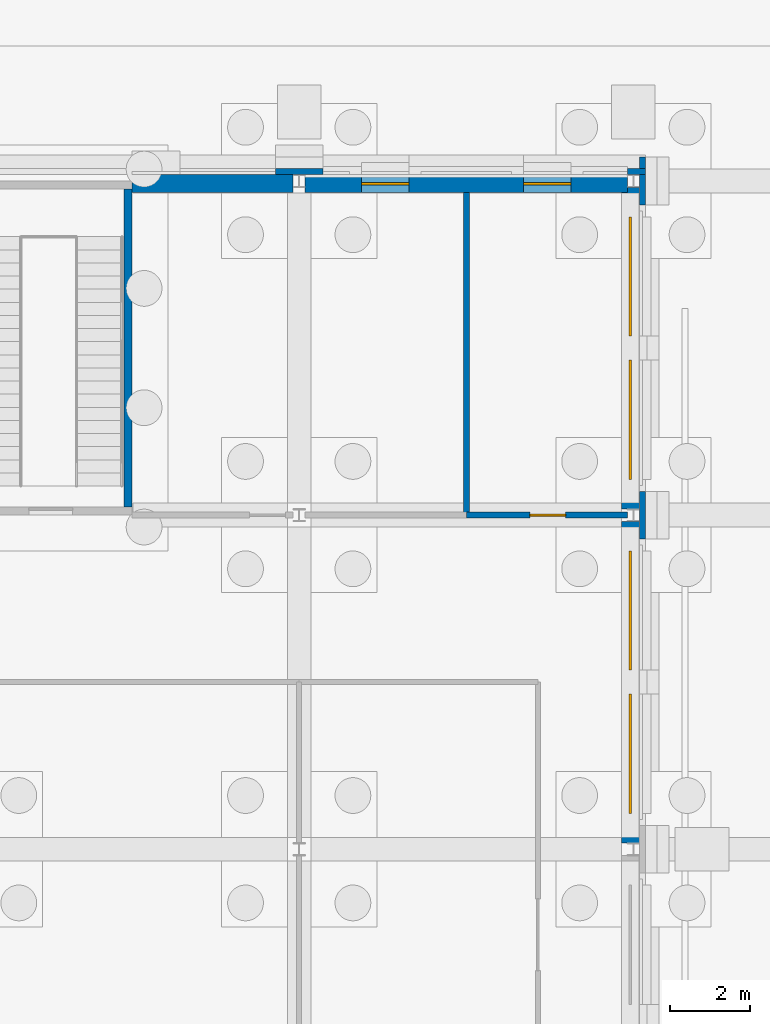
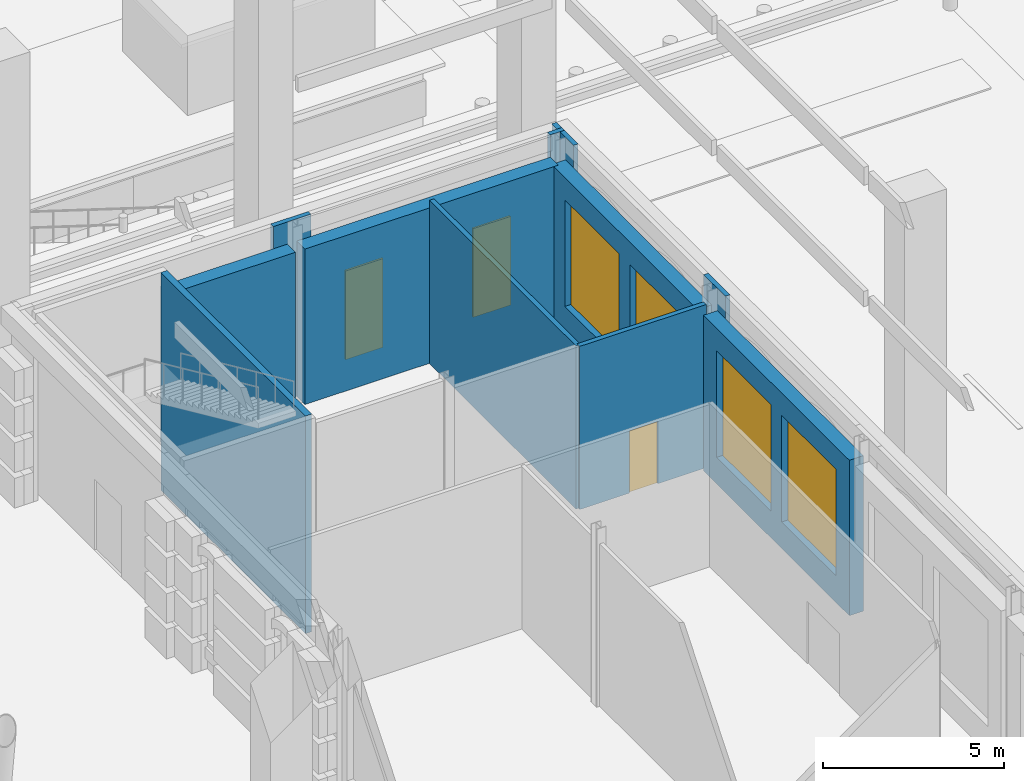
# One storey, part 98 of 222: 11 walls, 6 windows, 1 door, 7 openings.
"""IFC4 building model written with IfcOpenShell, lengths in metres."""

from ifc_helpers import new_model, si_unit, direction, frame, frame_2d, origin, place, context, subcontext, project, spatial, rectangle, extrude, material, layer, layer_set, type_object, element, fill, save


model = new_model("IFC4")

# Units and contexts
model_context = context("Model", 3, precision=1e-05, world=origin(), true_north=direction((0.0, 1.0)))
body_context = subcontext(model_context, "Body", "Model", "MODEL_VIEW")
ifc_project = project(units=[si_unit("LENGTHUNIT", "METRE"), si_unit("AREAUNIT", "SQUARE_METRE"), si_unit("VOLUMEUNIT", "CUBIC_METRE"), si_unit("PLANEANGLEUNIT", "RADIAN"), si_unit("MASSUNIT", "GRAM", prefix="KILO")], contexts=[model_context])

# Site, building, storey
site_placement = place(None, origin())
site = spatial("IfcSite", under=ifc_project, at=site_placement, CompositionType="ELEMENT")
building_placement = place(site_placement, origin())
building = spatial("IfcBuilding", under=site, at=building_placement, Name="Sava Quay Ferry Terminal", CompositionType="ELEMENT")
storey_placement = place(building_placement, origin())
storey = spatial("IfcBuildingStorey", under=building, at=storey_placement, Name="L00", CompositionType="ELEMENT", Elevation=0.0)

# Walls
ifc_material_1 = material(Name="Limestone Mutalj", Category="masonry")
ifc_layer_1 = layer(ifc_material_1, 0.14990234375)
ifc_layer_set_1 = layer_set([ifc_layer_1], Name="Limestone Mutalj")
wall_type_1 = type_object("IfcWallType", Name="Pier cladding 150", PredefinedType="SOLIDWALL", material=ifc_layer_set_1)
wall_1_placement = place(storey_placement, frame((100.199951171875, 109.43505859375, 0.0), z_axis=(0.0, 0.0, 1.0), x_axis=(1.0, 0.0, 0.0)))
element("IfcWall", 1, at=wall_1_placement, inside=storey, type_object=wall_type_1, Name="Pier O-N grid 100.8", PredefinedType="SOLIDWALL", context=body_context, shape_type="SweptSolid", body=[
    extrude(rectangle(XDim=1.199951171875, YDim=0.14990234375, at=frame_2d((0.60009765625, 0.0))), origin(), (0.0, 0.0, 1.0), 6.0),
])
wall_2_placement = place(storey_placement, frame((109.050048828125, 109.43505859375, 0.0), z_axis=(0.0, 0.0, 1.0), x_axis=(1.0, 0.0, 0.0)))
element("IfcWall", 2, at=wall_2_placement, inside=storey, type_object=wall_type_1, Name="Pier O-N grid 109.2", PredefinedType="SOLIDWALL", context=body_context, shape_type="SweptSolid", body=[
    extrude(rectangle(XDim=0.449951171875, YDim=0.14990234375, at=frame_2d((0.22509765625, 0.0))), origin(), (0.0, 0.0, 1.0), 6.0),
])
for number, where, z_axis, x_axis, name in (
    (3, (109.425048828125, 100.199951171875, 0.0), (0.0, 0.0, 1.0), (0.0, 1.0, 0.0), "Pier O-E grid 100.8"),
    (4, (109.425048828125, 108.60009765625, 0.0), (0.0, 0.0, 1.0), (0.0, 1.0, 0.0), "Pier O-E grid 109.2"),
):
    element("IfcWall", number, at=place(storey_placement, frame(where, z_axis=z_axis, x_axis=x_axis)), inside=storey, type_object=wall_type_1, Name=name, PredefinedType="SOLIDWALL", context=body_context, shape_type="SweptSolid", body=[
        extrude(rectangle(XDim=1.199951171875, YDim=0.14990234375, at=frame_2d((0.60009765625, 0.0))), origin(), (0.0, 0.0, 1.0), 6.0),
    ])

# Wall, opening, door
ifc_material_2 = material(Name="Masonry blockwork", Category="masonry")
ifc_layer_2 = layer(ifc_material_2, 0.14990234375)
ifc_layer_set_2 = layer_set([ifc_layer_2], Name="Masonry blockwork")
wall_type_2 = type_object("IfcWallType", Name="Plant, store and lobby wall, blockwork 150", PredefinedType="PARTITIONING", material=ifc_layer_set_2)
wall_3_placement = place(storey_placement, frame((105.0, 100.800048828125, 0.0), z_axis=(0.0, 0.0, 1.0), x_axis=(1.0, 0.0, 0.0)))
wall_3 = element("IfcWall", 5, at=wall_3_placement, inside=storey, type_object=wall_type_2, Name="Plant, store and lobby wall, blockwork 150", PredefinedType="PARTITIONING", context=body_context, shape_type="SweptSolid", body=[
    extrude(rectangle(XDim=4.050048828125, YDim=0.14990234375, at=frame_2d((2.02490234375, 0.0))), origin(), (0.0, 0.0, 1.0), 5.510009765625),
])
opening_1_placement = place(wall_3_placement, frame((1.60009765625, 0.0, 0.0)))
opening_1 = element("IfcOpeningElement", 6, at=opening_1_placement, cuts=wall_3, Name="Opening D0030", PredefinedType="OPENING", context=body_context, shape_type="SweptSolid", body=[
    extrude(rectangle(XDim=0.89990234375, YDim=2.10009765625, at=frame_2d((0.449951171875, 1.050048828125))), frame((0.0, 0.074951171875, 0.0), z_axis=(0.0, -1.0, 0.0), x_axis=(1.0, 0.0, 0.0)), (0.0, 0.0, 1.0), 0.14990234375),
])
ifc_material_3 = material(Name="Timber door set", Category="wood")
door_type = type_object("IfcDoorType", Name="Single door 900 x 2100", OperationType="NOTDEFINED", PredefinedType="DOOR", material=ifc_material_3)
door_placement = place(opening_1_placement, origin())
door = element("IfcDoor", 7, at=door_placement, inside=storey, type_object=door_type, Name="Door D0030", OperationType="SINGLE_SWING_LEFT", OverallHeight=2.10009765625, OverallWidth=0.89990234375, PredefinedType="DOOR", context=body_context, shape_type="SweptSolid", body=[
    extrude(rectangle(XDim=0.89990234375, YDim=2.10009765625, at=frame_2d((0.449951171875, 1.050048828125))), frame((0.0, 0.02490234375, 0.0), z_axis=(0.0, -1.0, 0.0), x_axis=(1.0, 0.0, 0.0)), (0.0, 0.0, 1.0), 0.050048828125),
])
fill(opening_1, door)

# Walls
wall_4_placement = place(storey_placement, frame((105.0, 100.800048828125, 0.0), z_axis=(0.0, 0.0, 1.0), x_axis=(0.0, 1.0, 0.0)))
element("IfcWall", 8, at=wall_4_placement, inside=storey, type_object=wall_type_2, Name="Plant, store and lobby wall, blockwork 150", PredefinedType="PARTITIONING", context=body_context, shape_type="SweptSolid", body=[
    extrude(rectangle(XDim=8.109375, YDim=0.14990234375, at=frame_2d((4.0546875, 0.0))), origin(), (0.0, 0.0, 1.0), 5.510009765625),
])
ifc_material_4 = material(Name="Concrete C35/45", Category="concrete")
ifc_layer_3 = layer(ifc_material_4, 0.199951171875)
ifc_layer_set_3 = layer_set([ifc_layer_3], Name="Concrete C35/45")
wall_type_3 = type_object("IfcWallType", Name="RC core wall 200", PredefinedType="SHEAR", material=ifc_layer_set_3)
wall_5_placement = place(storey_placement, frame((96.5, 101.0, -1.35009765625), z_axis=(0.0, 0.0, 1.0), x_axis=(0.0, 1.0, 0.0)))
element("IfcWall", 9, at=wall_5_placement, inside=storey, type_object=wall_type_3, Name="Core wall ST-O3 E L00", PredefinedType="SHEAR", context=body_context, shape_type="SweptSolid", body=[
    extrude(rectangle(XDim=8.0, YDim=0.199951171875, at=frame_2d((4.0, 0.0))), origin(), (0.0, 0.0, 1.0), 7.35009765625),
])
ifc_material_5 = material(Name="Limestone Mutalj", Category="masonry")
ifc_layer_4 = layer(ifc_material_5, 0.449951171875)
ifc_layer_set_4 = layer_set([ifc_layer_4], Name="Limestone Mutalj")
wall_type_4 = type_object("IfcWallType", Name="Rusticated limestone infill 450", PredefinedType="SOLIDWALL", material=ifc_layer_set_4)
wall_6_placement = place(storey_placement, frame((96.60009765625, 109.135009765625, 0.0), z_axis=(0.0, 0.0, 1.0), x_axis=(1.0, 0.0, 0.0)))
element("IfcWall", 10, at=wall_6_placement, inside=storey, type_object=wall_type_4, Name="External wall O-N", PredefinedType="SOLIDWALL", context=body_context, shape_type="SweptSolid", body=[
    extrude(rectangle(XDim=4.0498046875, YDim=0.449951171875, at=frame_2d((2.02490234375, 0.0))), origin(), (0.0, 0.0, 1.0), 5.25),
])

# Wall, openings, windows
wall_7_placement = place(storey_placement, frame((100.949951171875, 109.135009765625, 0.0), z_axis=(0.0, 0.0, 1.0), x_axis=(1.0, 0.0, 0.0)))
wall_7 = element("IfcWall", 11, at=wall_7_placement, inside=storey, type_object=wall_type_4, Name="External wall O-N", PredefinedType="SOLIDWALL", context=body_context, shape_type="SweptSolid", body=[
    extrude(rectangle(XDim=8.10009765625, YDim=0.449951171875, at=frame_2d((4.050048828125, 0.0))), origin(), (0.0, 0.0, 1.0), 5.25),
])
opening_2_placement = place(wall_7_placement, frame((1.41259765625, 0.0, 0.89990234375)))
opening_2 = element("IfcOpeningElement", 12, at=opening_2_placement, cuts=wall_7, Name="Opening W-E1", PredefinedType="OPENING", context=body_context, shape_type="SweptSolid", body=[
    extrude(rectangle(XDim=1.199951171875, YDim=3.0, at=frame_2d((0.60009765625, 1.5))), frame((0.0, 0.22509765625, 0.0), z_axis=(0.0, -1.0, 0.0), x_axis=(1.0, 0.0, 0.0)), (0.0, 0.0, 1.0), 0.449951171875),
])
opening_3_placement = place(wall_7_placement, frame((5.487548828125, 0.0, 0.89990234375)))
opening_3 = element("IfcOpeningElement", 13, at=opening_3_placement, cuts=wall_7, Name="Opening W-E1", PredefinedType="OPENING", context=body_context, shape_type="SweptSolid", body=[
    extrude(rectangle(XDim=1.199951171875, YDim=3.0, at=frame_2d((0.60009765625, 1.5))), frame((0.0, 0.22509765625, 0.0), z_axis=(0.0, -1.0, 0.0), x_axis=(1.0, 0.0, 0.0)), (0.0, 0.0, 1.0), 0.449951171875),
])
ifc_material_6 = material(Name="Aluminium bronze anodised frame, glazing double low-e Ug 1.1", Category="aluminium")
window_type_1 = type_object("IfcWindowType", Name="Entrance sidelight 1200x3000", PartitioningType="SINGLE_PANEL", PredefinedType="WINDOW", material=ifc_material_6)
window_1_placement = place(opening_2_placement, origin())
window_1 = element("IfcWindow", 14, at=window_1_placement, inside=storey, type_object=window_type_1, Name="Window W-E1", OverallHeight=3.0, OverallWidth=1.199951171875, PartitioningType="SINGLE_PANEL", PredefinedType="WINDOW", context=body_context, shape_type="SweptSolid", body=[
    extrude(rectangle(XDim=1.199951171875, YDim=3.0, at=frame_2d((0.60009765625, 1.5))), frame((0.0, 0.030029296875, 0.0), z_axis=(0.0, -1.0, 0.0), x_axis=(1.0, 0.0, 0.0)), (0.0, 0.0, 1.0), 0.06005859375),
])
fill(opening_2, window_1)
window_2_placement = place(opening_3_placement, origin())
window_2 = element("IfcWindow", 15, at=window_2_placement, inside=storey, type_object=window_type_1, Name="Window W-E1", OverallHeight=3.0, OverallWidth=1.199951171875, PartitioningType="SINGLE_PANEL", PredefinedType="WINDOW", context=body_context, shape_type="SweptSolid", body=[
    extrude(rectangle(XDim=1.199951171875, YDim=3.0, at=frame_2d((0.60009765625, 1.5))), frame((0.0, 0.030029296875, 0.0), z_axis=(0.0, -1.0, 0.0), x_axis=(1.0, 0.0, 0.0)), (0.0, 0.0, 1.0), 0.06005859375),
])
fill(opening_3, window_2)

wall_8_placement = place(storey_placement, frame((109.125, 92.56005859375, 0.0), z_axis=(0.0, 0.0, 1.0), x_axis=(0.0, 1.0, 0.0)))
wall_8 = element("IfcWall", 16, at=wall_8_placement, inside=storey, type_object=wall_type_4, Name="External wall O-E", PredefinedType="SOLIDWALL", context=body_context, shape_type="SweptSolid", body=[
    extrude(rectangle(XDim=8.079833984375, YDim=0.449951171875, at=frame_2d((4.0400390625, 0.0))), origin(), (0.0, 0.0, 1.0), 5.25),
])
opening_4_placement = place(wall_8_placement, frame((0.739990234375, 0.0, 0.89990234375)))
opening_4 = element("IfcOpeningElement", 17, at=opening_4_placement, cuts=wall_8, Name="Opening W-A", PredefinedType="OPENING", context=body_context, shape_type="SweptSolid", body=[
    extrude(rectangle(XDim=3.0, YDim=3.60009765625, at=frame_2d((1.5, 1.800048828125))), frame((0.0, 0.22509765625, 0.0), z_axis=(0.0, -1.0, 0.0), x_axis=(1.0, 0.0, 0.0)), (0.0, 0.0, 1.0), 0.449951171875),
])
opening_5_placement = place(wall_8_placement, frame((4.340087890625, 0.0, 0.89990234375)))
opening_5 = element("IfcOpeningElement", 18, at=opening_5_placement, cuts=wall_8, Name="Opening W-A", PredefinedType="OPENING", context=body_context, shape_type="SweptSolid", body=[
    extrude(rectangle(XDim=3.0, YDim=3.60009765625, at=frame_2d((1.5, 1.800048828125))), frame((0.0, 0.22509765625, 0.0), z_axis=(0.0, -1.0, 0.0), x_axis=(1.0, 0.0, 0.0)), (0.0, 0.0, 1.0), 0.449951171875),
])
ifc_material_7 = material(Name="Aluminium bronze anodised frame, glazing double low-e Ug 1.1", Category="aluminium")
window_type_2 = type_object("IfcWindowType", Name="Tall ordered window 3000x3600", PartitioningType="SINGLE_PANEL", PredefinedType="WINDOW", material=ifc_material_7)
window_3_placement = place(opening_4_placement, origin())
window_3 = element("IfcWindow", 19, at=window_3_placement, inside=storey, type_object=window_type_2, Name="Window W-A", OverallHeight=3.60009765625, OverallWidth=3.0, PartitioningType="SINGLE_PANEL", PredefinedType="WINDOW", context=body_context, shape_type="SweptSolid", body=[
    extrude(rectangle(XDim=3.0, YDim=3.60009765625, at=frame_2d((1.5, 1.800048828125))), frame((0.0, 0.030029296875, 0.0), z_axis=(0.0, -1.0, 0.0), x_axis=(1.0, 0.0, 0.0)), (0.0, 0.0, 1.0), 0.06005859375),
])
fill(opening_4, window_3)
window_4_placement = place(opening_5_placement, origin())
window_4 = element("IfcWindow", 20, at=window_4_placement, inside=storey, type_object=window_type_2, Name="Window W-A", OverallHeight=3.60009765625, OverallWidth=3.0, PartitioningType="SINGLE_PANEL", PredefinedType="WINDOW", context=body_context, shape_type="SweptSolid", body=[
    extrude(rectangle(XDim=3.0, YDim=3.60009765625, at=frame_2d((1.5, 1.800048828125))), frame((0.0, 0.030029296875, 0.0), z_axis=(0.0, -1.0, 0.0), x_axis=(1.0, 0.0, 0.0)), (0.0, 0.0, 1.0), 0.06005859375),
])
fill(opening_5, window_4)

wall_9_placement = place(storey_placement, frame((109.125, 100.9599609375, 0.0), z_axis=(0.0, 0.0, 1.0), x_axis=(0.0, 1.0, 0.0)))
wall_9 = element("IfcWall", 21, at=wall_9_placement, inside=storey, type_object=wall_type_4, Name="External wall O-E", PredefinedType="SOLIDWALL", context=body_context, shape_type="SweptSolid", body=[
    extrude(rectangle(XDim=8.080078125, YDim=0.449951171875, at=frame_2d((4.0400390625, 0.0))), origin(), (0.0, 0.0, 1.0), 5.25),
])
opening_6_placement = place(wall_9_placement, frame((0.739990234375, 0.0, 0.89990234375)))
opening_6 = element("IfcOpeningElement", 22, at=opening_6_placement, cuts=wall_9, Name="Opening W-A", PredefinedType="OPENING", context=body_context, shape_type="SweptSolid", body=[
    extrude(rectangle(XDim=3.0, YDim=3.60009765625, at=frame_2d((1.5, 1.800048828125))), frame((0.0, 0.22509765625, 0.0), z_axis=(0.0, -1.0, 0.0), x_axis=(1.0, 0.0, 0.0)), (0.0, 0.0, 1.0), 0.449951171875),
])
opening_7_placement = place(wall_9_placement, frame((4.340087890625, 0.0, 0.89990234375)))
opening_7 = element("IfcOpeningElement", 23, at=opening_7_placement, cuts=wall_9, Name="Opening W-A", PredefinedType="OPENING", context=body_context, shape_type="SweptSolid", body=[
    extrude(rectangle(XDim=3.0, YDim=3.60009765625, at=frame_2d((1.5, 1.800048828125))), frame((0.0, 0.22509765625, 0.0), z_axis=(0.0, -1.0, 0.0), x_axis=(1.0, 0.0, 0.0)), (0.0, 0.0, 1.0), 0.449951171875),
])
window_5_placement = place(opening_6_placement, origin())
window_5 = element("IfcWindow", 24, at=window_5_placement, inside=storey, type_object=window_type_2, Name="Window W-A", OverallHeight=3.60009765625, OverallWidth=3.0, PartitioningType="SINGLE_PANEL", PredefinedType="WINDOW", context=body_context, shape_type="SweptSolid", body=[
    extrude(rectangle(XDim=3.0, YDim=3.60009765625, at=frame_2d((1.5, 1.800048828125))), frame((0.0, 0.030029296875, 0.0), z_axis=(0.0, -1.0, 0.0), x_axis=(1.0, 0.0, 0.0)), (0.0, 0.0, 1.0), 0.06005859375),
])
fill(opening_6, window_5)
window_6_placement = place(opening_7_placement, origin())
window_6 = element("IfcWindow", 25, at=window_6_placement, inside=storey, type_object=window_type_2, Name="Window W-A", OverallHeight=3.60009765625, OverallWidth=3.0, PartitioningType="SINGLE_PANEL", PredefinedType="WINDOW", context=body_context, shape_type="SweptSolid", body=[
    extrude(rectangle(XDim=3.0, YDim=3.60009765625, at=frame_2d((1.5, 1.800048828125))), frame((0.0, 0.030029296875, 0.0), z_axis=(0.0, -1.0, 0.0), x_axis=(1.0, 0.0, 0.0)), (0.0, 0.0, 1.0), 0.06005859375),
])
fill(opening_7, window_6)

save(model, "model.ifc")
